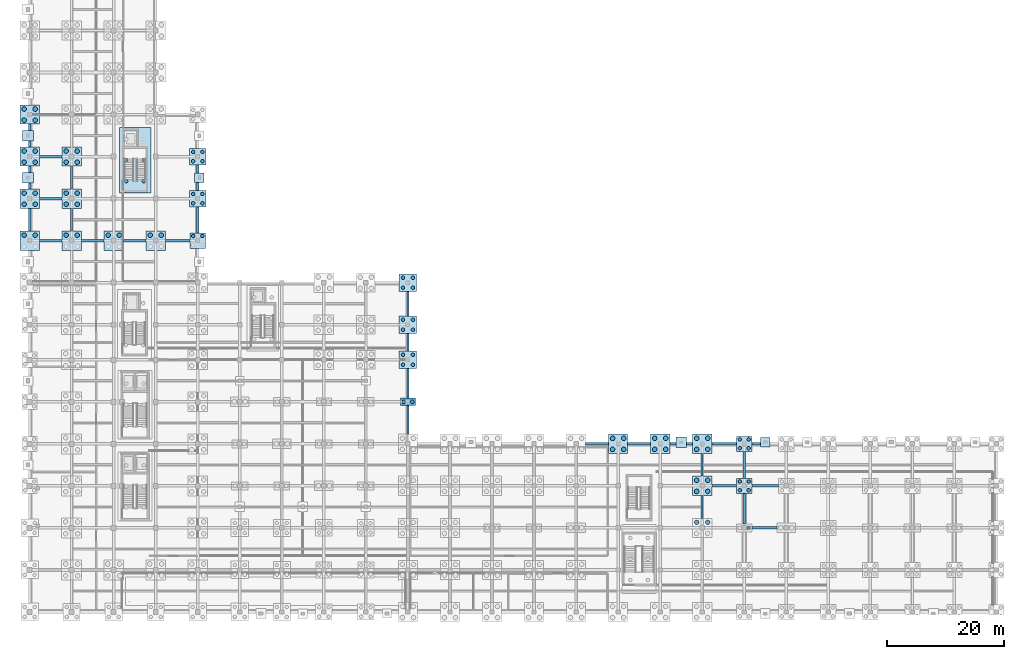
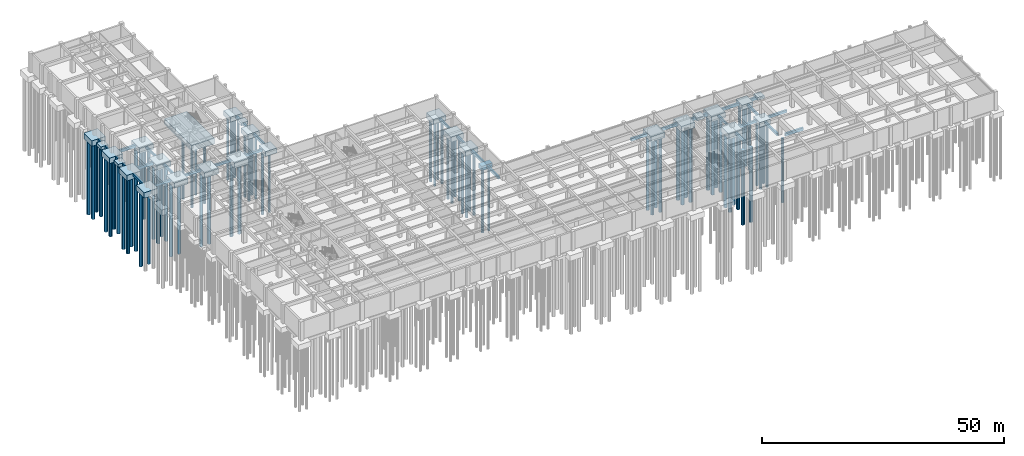
# One storey, part 6 of 28: 83 piles, 61 footings.
"""IFC4 building model written with IfcOpenShell, lengths in metres."""

from ifc_helpers import new_model, si_unit, direction, frame, origin, origin_2d, place, context, subcontext, project, spatial, rectangle, circle, extrude, material, material_profile, profile_set, type_object, element, save


model = new_model("IFC4")

# Units and contexts
model_context = context("Model", 3, precision=1e-05, world=origin(), true_north=direction((0.0, 1.0)))
body_context = subcontext(model_context, "Body", "Model", "MODEL_VIEW")
ifc_project = project(units=[si_unit("LENGTHUNIT", "METRE"), si_unit("AREAUNIT", "SQUARE_METRE"), si_unit("VOLUMEUNIT", "CUBIC_METRE"), si_unit("PLANEANGLEUNIT", "RADIAN"), si_unit("MASSUNIT", "GRAM", prefix="KILO")], contexts=[model_context])

# Site, building, storey
site_placement = place(None, origin())
site = spatial("IfcSite", under=ifc_project, at=site_placement, CompositionType="ELEMENT")
building_placement = place(site_placement, origin())
building = spatial("IfcBuilding", under=site, at=building_placement, Name="Alvorim Cloister Faculty of Sciences", CompositionType="ELEMENT")
storey_placement = place(building_placement, frame((0.0, 0.0, -4.5)))
storey = spatial("IfcBuildingStorey", under=building, at=storey_placement, Name="B01", CompositionType="ELEMENT", Elevation=-4.5)

# Footings
ifc_material_1 = material(Name="Concrete C40", Category="concrete")
footing_type_1 = type_object("IfcFootingType", Name="FT-PAD-1600x1600x700", PredefinedType="PAD_FOOTING", material=ifc_material_1)
for number, where, z_axis, x_axis, name in (
    (1, (29.080078125, 74.39990234375, -0.97998046875), (0.0, 0.0, 1.0), (1.0, 0.0, 0.0), "Buttress Pad Footing FT-0517"),
    (2, (126.0, 29.080078125, -0.97998046875), (0.0, 0.0, 1.0), (1.0, 0.0, 0.0), "Buttress Pad Footing FT-0527"),
):
    element("IfcFooting", number, at=place(storey_placement, frame(where, z_axis=z_axis, x_axis=x_axis)), inside=storey, type_object=footing_type_1, Name=name, PredefinedType="PAD_FOOTING", context=body_context, shape_type="SweptSolid", body=[
        extrude(rectangle(XDim=1.60009765625, YDim=1.60009765625, at=origin_2d()), origin(), (0.0, 0.0, 1.0), 0.699951171875),
    ])
footing_type_2 = type_object("IfcFootingType", Name="FT-PAD-1800x1800x750", PredefinedType="PAD_FOOTING", material=ifc_material_1)
for number, where, z_axis, x_axis, name in (
    (3, (-0.280029296875, 74.39990234375, -1.030029296875), (0.0, 0.0, 1.0), (1.0, 0.0, 0.0), "Buttress Pad Footing FT-0512"),
    (4, (-0.280029296875, 81.60009765625, -1.030029296875), (0.0, 0.0, 1.0), (1.0, 0.0, 0.0), "Buttress Pad Footing FT-0513"),
    (5, (111.60009765625, 29.080078125, -1.050048828125), (0.0, 0.0, 1.0), (1.0, 0.0, 0.0), "Buttress Pad Footing FT-0526"),
):
    element("IfcFooting", number, at=place(storey_placement, frame(where, z_axis=z_axis, x_axis=x_axis)), inside=storey, type_object=footing_type_2, Name=name, PredefinedType="PAD_FOOTING", context=body_context, shape_type="SweptSolid", body=[
        extrude(rectangle(XDim=1.800048828125, YDim=1.800048828125, at=origin_2d()), origin(), (0.0, 0.0, 1.0), 0.75),
    ])
footing_type_3 = type_object("IfcFootingType", Name="FT-PC-2600x1350x1100", PredefinedType="PILE_CAP", material=ifc_material_1)
footing_1_placement = place(storey_placement, frame((64.800048828125, 36.0, -1.400146484375), z_axis=(0.0, 0.0, 1.0), x_axis=(1.0, 0.0, 0.0)))
element("IfcFooting", 6, at=footing_1_placement, inside=storey, type_object=footing_type_3, Name="B01 Pile Cap FT-0126", PredefinedType="PILE_CAP", context=body_context, shape_type="SweptSolid", body=[
    extrude(rectangle(XDim=2.60009765625, YDim=1.35009765625, at=origin_2d()), origin(), (0.0, 0.0, 1.0), 1.10009765625),
])
footing_type_4 = type_object("IfcFootingType", Name="FT-PC-2600x2600x1200", PredefinedType="PILE_CAP", material=ifc_material_1)
for number, where, z_axis, x_axis, name in (
    (7, (122.39990234375, 21.60009765625, -1.47998046875), (0.0, 0.0, 1.0), (1.0, 0.0, 0.0), "B01 Pile Cap FT-0168"),
    (8, (122.39990234375, 28.800048828125, -1.47998046875), (0.0, 0.0, 1.0), (1.0, 0.0, 0.0), "B01 Pile Cap FT-0169"),
):
    element("IfcFooting", number, at=place(storey_placement, frame(where, z_axis=z_axis, x_axis=x_axis)), inside=storey, type_object=footing_type_4, Name=name, PredefinedType="PILE_CAP", context=body_context, shape_type="SweptSolid", body=[
        extrude(rectangle(XDim=2.60009765625, YDim=2.60009765625, at=origin_2d()), origin(), (0.0, 0.0, 1.0), 1.199951171875),
    ])
footing_type_5 = type_object("IfcFootingType", Name="FT-PC-2700x2700x1220", PredefinedType="PILE_CAP", material=ifc_material_1)
footing_2_placement = place(storey_placement, frame((28.800048828125, 63.60009765625, -1.5), z_axis=(0.0, 0.0, 1.0), x_axis=(1.0, 0.0, 0.0)))
element("IfcFooting", 9, at=footing_2_placement, inside=storey, type_object=footing_type_5, Name="B01 Pile Cap FT-0081", PredefinedType="PILE_CAP", context=body_context, shape_type="SweptSolid", body=[
    extrude(rectangle(XDim=2.699951171875, YDim=2.699951171875, at=origin_2d()), origin(), (0.0, 0.0, 1.0), 1.219970703125),
])
footing_type_6 = type_object("IfcFootingType", Name="FT-PC-2800x2800x1250", PredefinedType="PILE_CAP", material=ifc_material_1)
for number, where, z_axis, x_axis, name in (
    (10, (28.800048828125, 70.800048828125, -1.530029296875), (0.0, 0.0, 1.0), (1.0, 0.0, 0.0), "B01 Pile Cap FT-0082"),
    (11, (28.800048828125, 78.0, -1.530029296875), (0.0, 0.0, 1.0), (1.0, 0.0, 0.0), "B01 Pile Cap FT-0083"),
):
    element("IfcFooting", number, at=place(storey_placement, frame(where, z_axis=z_axis, x_axis=x_axis)), inside=storey, type_object=footing_type_6, Name=name, PredefinedType="PILE_CAP", context=body_context, shape_type="SweptSolid", body=[
        extrude(rectangle(XDim=2.800048828125, YDim=2.800048828125, at=origin_2d()), origin(), (0.0, 0.0, 1.0), 1.25),
    ])
footing_type_7 = type_object("IfcFootingType", Name="FT-PC-3000x3000x1350", PredefinedType="PILE_CAP", material=ifc_material_1)
for number, where, z_axis, x_axis, name in (
    (12, (64.800048828125, 43.199951171875, -1.650146484375), (0.0, 0.0, 1.0), (1.0, 0.0, 0.0), "B01 Pile Cap FT-0127"),
    (13, (64.800048828125, 49.199951171875, -1.650146484375), (0.0, 0.0, 1.0), (1.0, 0.0, 0.0), "B01 Pile Cap FT-0128"),
    (14, (64.800048828125, 56.39990234375, -1.650146484375), (0.0, 0.0, 1.0), (1.0, 0.0, 0.0), "B01 Pile Cap FT-0129"),
):
    element("IfcFooting", number, at=place(storey_placement, frame(where, z_axis=z_axis, x_axis=x_axis)), inside=storey, type_object=footing_type_7, Name=name, PredefinedType="PILE_CAP", context=body_context, shape_type="SweptSolid", body=[
        extrude(rectangle(XDim=3.0, YDim=3.0, at=origin_2d()), origin(), (0.0, 0.0, 1.0), 1.35009765625),
    ])
footing_type_8 = type_object("IfcFootingType", Name="FT-PC-3300x3300x1400", PredefinedType="PILE_CAP", material=ifc_material_1)
for number, where, z_axis, x_axis, name in (
    (15, (0.0, 63.60009765625, -1.679931640625), (0.0, 0.0, 1.0), (1.0, 0.0, 0.0), "B01 Pile Cap FT-0010"),
    (16, (0.0, 70.800048828125, -1.679931640625), (0.0, 0.0, 1.0), (1.0, 0.0, 0.0), "B01 Pile Cap FT-0011"),
    (17, (0.0, 78.0, -1.679931640625), (0.0, 0.0, 1.0), (1.0, 0.0, 0.0), "B01 Pile Cap FT-0012"),
    (18, (0.0, 85.199951171875, -1.679931640625), (0.0, 0.0, 1.0), (1.0, 0.0, 0.0), "B01 Pile Cap FT-0013"),
    (19, (7.199951171875, 63.60009765625, -1.679931640625), (0.0, 0.0, 1.0), (1.0, 0.0, 0.0), "B01 Pile Cap FT-0027"),
    (20, (7.199951171875, 70.800048828125, -1.679931640625), (0.0, 0.0, 1.0), (1.0, 0.0, 0.0), "B01 Pile Cap FT-0028"),
    (21, (7.199951171875, 78.0, -1.679931640625), (0.0, 0.0, 1.0), (1.0, 0.0, 0.0), "B01 Pile Cap FT-0029"),
    (22, (14.39990234375, 63.60009765625, -1.679931640625), (0.0, 0.0, 1.0), (1.0, 0.0, 0.0), "B01 Pile Cap FT-0044"),
    (23, (21.60009765625, 63.60009765625, -1.679931640625), (0.0, 0.0, 1.0), (1.0, 0.0, 0.0), "B01 Pile Cap FT-0064"),
    (24, (100.800048828125, 28.800048828125, -1.699951171875), (0.0, 0.0, 1.0), (1.0, 0.0, 0.0), "B01 Pile Cap FT-0154"),
    (25, (108.0, 28.800048828125, -1.699951171875), (0.0, 0.0, 1.0), (1.0, 0.0, 0.0), "B01 Pile Cap FT-0159"),
    (26, (115.199951171875, 21.60009765625, -1.699951171875), (0.0, 0.0, 1.0), (1.0, 0.0, 0.0), "B01 Pile Cap FT-0163"),
    (27, (115.199951171875, 28.800048828125, -1.699951171875), (0.0, 0.0, 1.0), (1.0, 0.0, 0.0), "B01 Pile Cap FT-0164"),
):
    element("IfcFooting", number, at=place(storey_placement, frame(where, z_axis=z_axis, x_axis=x_axis)), inside=storey, type_object=footing_type_8, Name=name, PredefinedType="PILE_CAP", context=body_context, shape_type="SweptSolid", body=[
        extrude(rectangle(XDim=3.300048828125, YDim=3.300048828125, at=origin_2d()), origin(), (0.0, 0.0, 1.0), 1.39990234375),
    ])
footing_type_9 = type_object("IfcFootingType", Name="FT-PC-5400x11200x1450", PredefinedType="PILE_CAP", material=ifc_material_1)
footing_3_placement = place(storey_placement, frame((18.06005859375, 77.39990234375, -1.75), z_axis=(0.0, 0.0, 1.0), x_axis=(1.0, 0.0, 0.0)))
element("IfcFooting", 28, at=footing_3_placement, inside=storey, type_object=footing_type_9, Name="B01 Pile Cap FT-0204", PredefinedType="PILE_CAP", context=body_context, shape_type="SweptSolid", body=[
    extrude(rectangle(XDim=5.39990234375, YDim=11.199951171875, at=origin_2d()), origin(), (0.0, 0.0, 1.0), 1.449951171875),
])
footing_type_10 = type_object("IfcFootingType", Name="FT-TB-350x600", PredefinedType="FOOTING_BEAM", material=ifc_material_1)
for number, where, z_axis, x_axis, name in (
    (29, (7.199951171875, 67.199951171875, -0.880126953125), (0.0, 0.0, 1.0), (1.0, 0.0, 0.0), "Ground Tie Beam FT-0259"),
    (30, (7.199951171875, 74.39990234375, -0.880126953125), (0.0, 0.0, 1.0), (1.0, 0.0, 0.0), "Ground Tie Beam FT-0261"),
    (31, (115.199951171875, 18.0, -0.900146484375), (0.0, 0.0, 1.0), (1.0, 0.0, 0.0), "Ground Tie Beam FT-0433"),
    (32, (115.199951171875, 25.199951171875, -0.900146484375), (0.0, 0.0, 1.0), (1.0, 0.0, 0.0), "Ground Tie Beam FT-0435"),
):
    element("IfcFooting", number, at=place(storey_placement, frame(where, z_axis=z_axis, x_axis=x_axis)), inside=storey, type_object=footing_type_10, Name=name, PredefinedType="FOOTING_BEAM", context=body_context, shape_type="SweptSolid", body=[
        extrude(rectangle(XDim=0.35009765625, YDim=3.89990234375, at=origin_2d()), origin(), (0.0, 0.0, 1.0), 0.60009765625),
    ])
footing_type_11 = type_object("IfcFootingType", Name="FT-TB-400x650", PredefinedType="FOOTING_BEAM", material=ifc_material_1)
footing_4_placement = place(storey_placement, frame((0.0, 67.199951171875, -0.929931640625), z_axis=(0.0, 0.0, 1.0), x_axis=(1.0, 0.0, 0.0)))
element("IfcFooting", 33, at=footing_4_placement, inside=storey, type_object=footing_type_11, Name="Ground Tie Beam FT-0229", PredefinedType="FOOTING_BEAM", context=body_context, shape_type="SweptSolid", body=[
    extrude(rectangle(XDim=0.39990234375, YDim=3.89990234375, at=origin_2d()), origin(), (0.0, 0.0, 1.0), 0.64990234375),
])
footing_5_placement = place(storey_placement, frame((3.60009765625, 63.60009765625, -0.929931640625), z_axis=(0.0, 0.0, 1.0), x_axis=(1.0, 0.0, 0.0)))
element("IfcFooting", 34, at=footing_5_placement, inside=storey, type_object=footing_type_11, Name="Ground Tie Beam FT-0230", PredefinedType="FOOTING_BEAM", context=body_context, shape_type="SweptSolid", body=[
    extrude(rectangle(XDim=3.89990234375, YDim=0.39990234375, at=origin_2d()), origin(), (0.0, 0.0, 1.0), 0.64990234375),
])
for number, where, z_axis, x_axis, name in (
    (35, (0.0, 72.97509765625, -0.929931640625), (0.0, 0.0, 1.0), (1.0, 0.0, 0.0), "Ground Tie Beam FT-0231"),
    (36, (0.0, 75.824951171875, -0.929931640625), (0.0, 0.0, 1.0), (1.0, 0.0, 0.0), "Ground Tie Beam FT-0232"),
    (37, (0.0, 80.175048828125, -0.929931640625), (0.0, 0.0, 1.0), (1.0, 0.0, 0.0), "Ground Tie Beam FT-0234"),
    (38, (0.0, 83.02490234375, -0.929931640625), (0.0, 0.0, 1.0), (1.0, 0.0, 0.0), "Ground Tie Beam FT-0235"),
):
    element("IfcFooting", number, at=place(storey_placement, frame(where, z_axis=z_axis, x_axis=x_axis)), inside=storey, type_object=footing_type_11, Name=name, PredefinedType="FOOTING_BEAM", context=body_context, shape_type="SweptSolid", body=[
        extrude(rectangle(XDim=0.39990234375, YDim=1.050048828125, at=origin_2d()), origin(), (0.0, 0.0, 1.0), 0.64990234375),
    ])
for number, where, z_axis, x_axis, name in (
    (39, (10.800048828125, 63.60009765625, -0.929931640625), (0.0, 0.0, 1.0), (1.0, 0.0, 0.0), "Ground Tie Beam FT-0260"),
    (40, (18.0, 63.60009765625, -0.929931640625), (0.0, 0.0, 1.0), (1.0, 0.0, 0.0), "Ground Tie Beam FT-0275"),
):
    element("IfcFooting", number, at=place(storey_placement, frame(where, z_axis=z_axis, x_axis=x_axis)), inside=storey, type_object=footing_type_11, Name=name, PredefinedType="FOOTING_BEAM", context=body_context, shape_type="SweptSolid", body=[
        extrude(rectangle(XDim=3.89990234375, YDim=0.39990234375, at=origin_2d()), origin(), (0.0, 0.0, 1.0), 0.64990234375),
    ])
footing_6_placement = place(storey_placement, frame((25.35009765625, 63.60009765625, -0.929931640625), z_axis=(0.0, 0.0, 1.0), x_axis=(1.0, 0.0, 0.0)))
element("IfcFooting", 41, at=footing_6_placement, inside=storey, type_object=footing_type_11, Name="Ground Tie Beam FT-0288", PredefinedType="FOOTING_BEAM", context=body_context, shape_type="SweptSolid", body=[
    extrude(rectangle(XDim=4.199951171875, YDim=0.39990234375, at=origin_2d()), origin(), (0.0, 0.0, 1.0), 0.64990234375),
])
footing_7_placement = place(storey_placement, frame((28.800048828125, 67.175048828125, -0.929931640625), z_axis=(0.0, 0.0, 1.0), x_axis=(1.0, 0.0, 0.0)))
element("IfcFooting", 42, at=footing_7_placement, inside=storey, type_object=footing_type_11, Name="Ground Tie Beam FT-0310", PredefinedType="FOOTING_BEAM", context=body_context, shape_type="SweptSolid", body=[
    extrude(rectangle(XDim=0.39990234375, YDim=4.449951171875, at=origin_2d()), origin(), (0.0, 0.0, 1.0), 0.64990234375),
])
for number, where, z_axis, x_axis, name in (
    (43, (28.800048828125, 72.89990234375, -0.929931640625), (0.0, 0.0, 1.0), (1.0, 0.0, 0.0), "Ground Tie Beam FT-0311"),
    (44, (28.800048828125, 75.89990234375, -0.929931640625), (0.0, 0.0, 1.0), (1.0, 0.0, 0.0), "Ground Tie Beam FT-0312"),
):
    element("IfcFooting", number, at=place(storey_placement, frame(where, z_axis=z_axis, x_axis=x_axis)), inside=storey, type_object=footing_type_11, Name=name, PredefinedType="FOOTING_BEAM", context=body_context, shape_type="SweptSolid", body=[
        extrude(rectangle(XDim=0.39990234375, YDim=1.39990234375, at=origin_2d()), origin(), (0.0, 0.0, 1.0), 0.64990234375),
    ])
footing_8_placement = place(storey_placement, frame((64.800048828125, 32.887451171875, -0.949951171875), z_axis=(0.0, 0.0, 1.0), x_axis=(1.0, 0.0, 0.0)))
element("IfcFooting", 45, at=footing_8_placement, inside=storey, type_object=footing_type_11, Name="Ground Tie Beam FT-0385", PredefinedType="FOOTING_BEAM", context=body_context, shape_type="SweptSolid", body=[
    extrude(rectangle(XDim=0.39990234375, YDim=4.875, at=origin_2d()), origin(), (0.0, 0.0, 1.0), 0.64990234375),
])
footing_9_placement = place(storey_placement, frame((64.800048828125, 39.1875, -0.949951171875), z_axis=(0.0, 0.0, 1.0), x_axis=(1.0, 0.0, 0.0)))
element("IfcFooting", 46, at=footing_9_placement, inside=storey, type_object=footing_type_11, Name="Ground Tie Beam FT-0387", PredefinedType="FOOTING_BEAM", context=body_context, shape_type="SweptSolid", body=[
    extrude(rectangle(XDim=0.39990234375, YDim=5.02490234375, at=origin_2d()), origin(), (0.0, 0.0, 1.0), 0.64990234375),
])
footing_10_placement = place(storey_placement, frame((64.800048828125, 46.199951171875, -0.949951171875), z_axis=(0.0, 0.0, 1.0), x_axis=(1.0, 0.0, 0.0)))
element("IfcFooting", 47, at=footing_10_placement, inside=storey, type_object=footing_type_11, Name="Ground Tie Beam FT-0388", PredefinedType="FOOTING_BEAM", context=body_context, shape_type="SweptSolid", body=[
    extrude(rectangle(XDim=0.39990234375, YDim=3.0, at=origin_2d()), origin(), (0.0, 0.0, 1.0), 0.64990234375),
])
footing_11_placement = place(storey_placement, frame((64.800048828125, 52.800048828125, -0.949951171875), z_axis=(0.0, 0.0, 1.0), x_axis=(1.0, 0.0, 0.0)))
element("IfcFooting", 48, at=footing_11_placement, inside=storey, type_object=footing_type_11, Name="Ground Tie Beam FT-0389", PredefinedType="FOOTING_BEAM", context=body_context, shape_type="SweptSolid", body=[
    extrude(rectangle(XDim=0.39990234375, YDim=4.199951171875, at=origin_2d()), origin(), (0.0, 0.0, 1.0), 0.64990234375),
])
footing_12_placement = place(storey_placement, frame((118.97509765625, 21.60009765625, -0.949951171875), z_axis=(0.0, 0.0, 1.0), x_axis=(1.0, 0.0, 0.0)))
element("IfcFooting", 49, at=footing_12_placement, inside=storey, type_object=footing_type_11, Name="Ground Tie Beam FT-0436", PredefinedType="FOOTING_BEAM", context=body_context, shape_type="SweptSolid", body=[
    extrude(rectangle(XDim=4.25, YDim=0.39990234375, at=origin_2d()), origin(), (0.0, 0.0, 1.0), 0.64990234375),
])
footing_13_placement = place(storey_placement, frame((122.39990234375, 17.6875, -0.929931640625), z_axis=(0.0, 0.0, 1.0), x_axis=(1.0, 0.0, 0.0)))
element("IfcFooting", 50, at=footing_13_placement, inside=storey, type_object=footing_type_11, Name="Ground Tie Beam FT-0443", PredefinedType="FOOTING_BEAM", context=body_context, shape_type="SweptSolid", body=[
    extrude(rectangle(XDim=0.39990234375, YDim=5.22509765625, at=origin_2d()), origin(), (0.0, 0.0, 1.0), 0.64990234375),
])
footing_14_placement = place(storey_placement, frame((122.39990234375, 25.199951171875, -0.929931640625), z_axis=(0.0, 0.0, 1.0), x_axis=(1.0, 0.0, 0.0)))
element("IfcFooting", 51, at=footing_14_placement, inside=storey, type_object=footing_type_11, Name="Ground Tie Beam FT-0445", PredefinedType="FOOTING_BEAM", context=body_context, shape_type="SweptSolid", body=[
    extrude(rectangle(XDim=0.39990234375, YDim=4.60009765625, at=origin_2d()), origin(), (0.0, 0.0, 1.0), 0.64990234375),
])
footing_15_placement = place(storey_placement, frame((126.0, 21.60009765625, -0.929931640625), z_axis=(0.0, 0.0, 1.0), x_axis=(1.0, 0.0, 0.0)))
element("IfcFooting", 52, at=footing_15_placement, inside=storey, type_object=footing_type_11, Name="Ground Tie Beam FT-0446", PredefinedType="FOOTING_BEAM", context=body_context, shape_type="SweptSolid", body=[
    extrude(rectangle(XDim=4.60009765625, YDim=0.39990234375, at=origin_2d()), origin(), (0.0, 0.0, 1.0), 0.64990234375),
])
footing_type_12 = type_object("IfcFootingType", Name="FT-TB-450x700", PredefinedType="FOOTING_BEAM", material=ifc_material_1)
for number, where, z_axis, x_axis, name in (
    (53, (3.60009765625, 70.800048828125, -0.97998046875), (0.0, 0.0, 1.0), (1.0, 0.0, 0.0), "Ground Tie Beam FT-0233"),
    (54, (3.60009765625, 78.0, -0.97998046875), (0.0, 0.0, 1.0), (1.0, 0.0, 0.0), "Ground Tie Beam FT-0236"),
    (55, (97.199951171875, 28.800048828125, -1.0), (0.0, 0.0, 1.0), (1.0, 0.0, 0.0), "Ground Tie Beam FT-0423"),
    (56, (104.39990234375, 28.800048828125, -1.0), (0.0, 0.0, 1.0), (1.0, 0.0, 0.0), "Ground Tie Beam FT-0425"),
):
    element("IfcFooting", number, at=place(storey_placement, frame(where, z_axis=z_axis, x_axis=x_axis)), inside=storey, type_object=footing_type_12, Name=name, PredefinedType="FOOTING_BEAM", context=body_context, shape_type="SweptSolid", body=[
        extrude(rectangle(XDim=3.89990234375, YDim=0.449951171875, at=origin_2d()), origin(), (0.0, 0.0, 1.0), 0.699951171875),
    ])
for number, where, z_axis, x_axis, name in (
    (57, (110.175048828125, 28.800048828125, -1.0), (0.0, 0.0, 1.0), (1.0, 0.0, 0.0), "Ground Tie Beam FT-0427"),
    (58, (113.02490234375, 28.800048828125, -1.0), (0.0, 0.0, 1.0), (1.0, 0.0, 0.0), "Ground Tie Beam FT-0428"),
):
    element("IfcFooting", number, at=place(storey_placement, frame(where, z_axis=z_axis, x_axis=x_axis)), inside=storey, type_object=footing_type_12, Name=name, PredefinedType="FOOTING_BEAM", context=body_context, shape_type="SweptSolid", body=[
        extrude(rectangle(XDim=1.050048828125, YDim=0.449951171875, at=origin_2d()), origin(), (0.0, 0.0, 1.0), 0.699951171875),
    ])
footing_16_placement = place(storey_placement, frame((118.97509765625, 28.800048828125, -1.0), z_axis=(0.0, 0.0, 1.0), x_axis=(1.0, 0.0, 0.0)))
element("IfcFooting", 59, at=footing_16_placement, inside=storey, type_object=footing_type_12, Name="Ground Tie Beam FT-0437", PredefinedType="FOOTING_BEAM", context=body_context, shape_type="SweptSolid", body=[
    extrude(rectangle(XDim=4.25, YDim=0.449951171875, at=origin_2d()), origin(), (0.0, 0.0, 1.0), 0.699951171875),
])
footing_17_placement = place(storey_placement, frame((125.85009765625, 14.39990234375, -0.97998046875), z_axis=(0.0, 0.0, 1.0), x_axis=(1.0, 0.0, 0.0)))
element("IfcFooting", 60, at=footing_17_placement, inside=storey, type_object=footing_type_12, Name="Ground Tie Beam FT-0444", PredefinedType="FOOTING_BEAM", context=body_context, shape_type="SweptSolid", body=[
    extrude(rectangle(XDim=4.300048828125, YDim=0.449951171875, at=origin_2d()), origin(), (0.0, 0.0, 1.0), 0.699951171875),
])
footing_18_placement = place(storey_placement, frame((124.449951171875, 28.800048828125, -0.97998046875), z_axis=(0.0, 0.0, 1.0), x_axis=(1.0, 0.0, 0.0)))
element("IfcFooting", 61, at=footing_18_placement, inside=storey, type_object=footing_type_12, Name="Ground Tie Beam FT-0447", PredefinedType="FOOTING_BEAM", context=body_context, shape_type="SweptSolid", body=[
    extrude(rectangle(XDim=1.5, YDim=0.449951171875, at=origin_2d()), origin(), (0.0, 0.0, 1.0), 0.699951171875),
])

# Piles
ifc_material_2 = material(Name="Concrete C30", Category="concrete")
ifc_material_profile_1 = material_profile(ifc_material_2, circle(Radius=0.300048828125, at=origin_2d()), Name="PILE-D600")
ifc_profile_set_1 = profile_set([ifc_material_profile_1], Name="Concrete C30")
pile_type_1 = type_object("IfcPileType", Name="PL-BORED-D600", PredefinedType="BORED", material=ifc_profile_set_1)
for number, where, z_axis, x_axis, name in (
    (62, (28.0, 64.39990234375, -1.39990234375), (0.0, 0.0, -1.0), (1.0, 0.0, 0.0), "Bored Pile PL-0323"),
    (63, (29.60009765625, 64.39990234375, -1.39990234375), (0.0, 0.0, -1.0), (1.0, 0.0, 0.0), "Bored Pile PL-0324"),
):
    element("IfcPile", number, at=place(storey_placement, frame(where, z_axis=z_axis, x_axis=x_axis)), inside=storey, type_object=pile_type_1, Name=name, PredefinedType="BORED", context=body_context, shape_type="SweptSolid", body=[
        extrude(circle(Radius=0.300048828125, at=origin_2d()), origin(), (0.0, 0.0, 1.0), 16.10009765625),
    ])
for number, where, z_axis, x_axis, name in (
    (64, (28.0, 70.0, -1.429931640625), (0.0, 0.0, -1.0), (1.0, 0.0, 0.0), "Bored Pile PL-0325"),
    (65, (29.60009765625, 70.0, -1.429931640625), (0.0, 0.0, -1.0), (1.0, 0.0, 0.0), "Bored Pile PL-0326"),
    (66, (28.0, 71.60009765625, -1.429931640625), (0.0, 0.0, -1.0), (1.0, 0.0, 0.0), "Bored Pile PL-0327"),
    (67, (29.60009765625, 71.60009765625, -1.429931640625), (0.0, 0.0, -1.0), (1.0, 0.0, 0.0), "Bored Pile PL-0328"),
    (68, (28.0, 77.199951171875, -1.429931640625), (0.0, 0.0, -1.0), (1.0, 0.0, 0.0), "Bored Pile PL-0329"),
    (69, (29.60009765625, 77.199951171875, -1.429931640625), (0.0, 0.0, -1.0), (1.0, 0.0, 0.0), "Bored Pile PL-0330"),
    (70, (28.0, 78.800048828125, -1.429931640625), (0.0, 0.0, -1.0), (1.0, 0.0, 0.0), "Bored Pile PL-0331"),
    (71, (29.60009765625, 78.800048828125, -1.429931640625), (0.0, 0.0, -1.0), (1.0, 0.0, 0.0), "Bored Pile PL-0332"),
):
    element("IfcPile", number, at=place(storey_placement, frame(where, z_axis=z_axis, x_axis=x_axis)), inside=storey, type_object=pile_type_1, Name=name, PredefinedType="BORED", context=body_context, shape_type="SweptSolid", body=[
        extrude(circle(Radius=0.300048828125, at=origin_2d()), origin(), (0.0, 0.0, 1.0), 16.070068359375),
    ])
for number, where, z_axis, x_axis, name in (
    (72, (64.050048828125, 36.0, -1.300048828125), (0.0, 0.0, -1.0), (1.0, 0.0, 0.0), "Bored Pile PL-0477"),
    (73, (65.550048828125, 36.0, -1.300048828125), (0.0, 0.0, -1.0), (1.0, 0.0, 0.0), "Bored Pile PL-0478"),
):
    element("IfcPile", number, at=place(storey_placement, frame(where, z_axis=z_axis, x_axis=x_axis)), inside=storey, type_object=pile_type_1, Name=name, PredefinedType="BORED", context=body_context, shape_type="SweptSolid", body=[
        extrude(circle(Radius=0.300048828125, at=origin_2d()), origin(), (0.0, 0.0, 1.0), 16.199951171875),
    ])
for number, where, z_axis, x_axis, name in (
    (74, (63.949951171875, 42.35009765625, -1.550048828125), (0.0, 0.0, -1.0), (1.0, 0.0, 0.0), "Bored Pile PL-0479"),
    (75, (65.64990234375, 42.35009765625, -1.550048828125), (0.0, 0.0, -1.0), (1.0, 0.0, 0.0), "Bored Pile PL-0480"),
    (76, (63.949951171875, 44.050048828125, -1.550048828125), (0.0, 0.0, -1.0), (1.0, 0.0, 0.0), "Bored Pile PL-0481"),
    (77, (65.64990234375, 44.050048828125, -1.550048828125), (0.0, 0.0, -1.0), (1.0, 0.0, 0.0), "Bored Pile PL-0482"),
    (78, (63.949951171875, 48.35009765625, -1.550048828125), (0.0, 0.0, -1.0), (1.0, 0.0, 0.0), "Bored Pile PL-0483"),
    (79, (65.64990234375, 48.35009765625, -1.550048828125), (0.0, 0.0, -1.0), (1.0, 0.0, 0.0), "Bored Pile PL-0484"),
    (80, (63.949951171875, 50.050048828125, -1.550048828125), (0.0, 0.0, -1.0), (1.0, 0.0, 0.0), "Bored Pile PL-0485"),
    (81, (65.64990234375, 50.050048828125, -1.550048828125), (0.0, 0.0, -1.0), (1.0, 0.0, 0.0), "Bored Pile PL-0486"),
    (82, (63.949951171875, 55.550048828125, -1.550048828125), (0.0, 0.0, -1.0), (1.0, 0.0, 0.0), "Bored Pile PL-0487"),
    (83, (65.64990234375, 55.550048828125, -1.550048828125), (0.0, 0.0, -1.0), (1.0, 0.0, 0.0), "Bored Pile PL-0488"),
    (84, (63.949951171875, 57.25, -1.550048828125), (0.0, 0.0, -1.0), (1.0, 0.0, 0.0), "Bored Pile PL-0489"),
    (85, (65.64990234375, 57.25, -1.550048828125), (0.0, 0.0, -1.0), (1.0, 0.0, 0.0), "Bored Pile PL-0490"),
):
    element("IfcPile", number, at=place(storey_placement, frame(where, z_axis=z_axis, x_axis=x_axis)), inside=storey, type_object=pile_type_1, Name=name, PredefinedType="BORED", context=body_context, shape_type="SweptSolid", body=[
        extrude(circle(Radius=0.300048828125, at=origin_2d()), origin(), (0.0, 0.0, 1.0), 15.949951171875),
    ])
pile_placement = place(storey_placement, frame((123.14990234375, 14.39990234375, -1.280029296875), z_axis=(0.0, 0.0, -1.0), x_axis=(1.0, 0.0, 0.0)))
element("IfcPile", 86, at=pile_placement, inside=storey, type_object=pile_type_1, Name="Bored Pile PL-0632", PredefinedType="BORED", context=body_context, shape_type="SweptSolid", body=[
    extrude(circle(Radius=0.300048828125, at=origin_2d()), origin(), (0.0, 0.0, 1.0), 16.219970703125),
])
for number, where, z_axis, x_axis, name in (
    (87, (121.64990234375, 20.85009765625, -1.3798828125), (0.0, 0.0, -1.0), (1.0, 0.0, 0.0), "Bored Pile PL-0633"),
    (88, (123.14990234375, 20.85009765625, -1.3798828125), (0.0, 0.0, -1.0), (1.0, 0.0, 0.0), "Bored Pile PL-0634"),
    (89, (121.64990234375, 22.35009765625, -1.3798828125), (0.0, 0.0, -1.0), (1.0, 0.0, 0.0), "Bored Pile PL-0635"),
    (90, (123.14990234375, 22.35009765625, -1.3798828125), (0.0, 0.0, -1.0), (1.0, 0.0, 0.0), "Bored Pile PL-0636"),
    (91, (121.64990234375, 28.050048828125, -1.3798828125), (0.0, 0.0, -1.0), (1.0, 0.0, 0.0), "Bored Pile PL-0637"),
    (92, (123.14990234375, 28.050048828125, -1.3798828125), (0.0, 0.0, -1.0), (1.0, 0.0, 0.0), "Bored Pile PL-0638"),
    (93, (121.64990234375, 29.550048828125, -1.3798828125), (0.0, 0.0, -1.0), (1.0, 0.0, 0.0), "Bored Pile PL-0639"),
    (94, (123.14990234375, 29.550048828125, -1.3798828125), (0.0, 0.0, -1.0), (1.0, 0.0, 0.0), "Bored Pile PL-0640"),
):
    element("IfcPile", number, at=place(storey_placement, frame(where, z_axis=z_axis, x_axis=x_axis)), inside=storey, type_object=pile_type_1, Name=name, PredefinedType="BORED", context=body_context, shape_type="SweptSolid", body=[
        extrude(circle(Radius=0.300048828125, at=origin_2d()), origin(), (0.0, 0.0, 1.0), 16.1201171875),
    ])
for number, where, z_axis, x_axis, name in (
    (95, (16.56005859375, 73.800048828125, -1.64990234375), (0.0, 0.0, -1.0), (1.0, 0.0, 0.0), "Bored Pile PL-0777"),
    (96, (19.56005859375, 73.800048828125, -1.64990234375), (0.0, 0.0, -1.0), (1.0, 0.0, 0.0), "Bored Pile PL-0778"),
    (97, (16.56005859375, 77.39990234375, -1.64990234375), (0.0, 0.0, -1.0), (1.0, 0.0, 0.0), "Bored Pile PL-0779"),
    (98, (19.56005859375, 77.39990234375, -1.64990234375), (0.0, 0.0, -1.0), (1.0, 0.0, 0.0), "Bored Pile PL-0780"),
):
    element("IfcPile", number, at=place(storey_placement, frame(where, z_axis=z_axis, x_axis=x_axis)), inside=storey, type_object=pile_type_1, Name=name, PredefinedType="BORED", context=body_context, shape_type="SweptSolid", body=[
        extrude(circle(Radius=0.300048828125, at=origin_2d()), origin(), (0.0, 0.0, 1.0), 15.85009765625),
    ])
ifc_material_profile_2 = material_profile(ifc_material_2, circle(Radius=0.39990234375, at=origin_2d()), Name="PILE-D800")
ifc_profile_set_2 = profile_set([ifc_material_profile_2], Name="Concrete C30")
pile_type_2 = type_object("IfcPileType", Name="PL-BORED-D800", PredefinedType="BORED", material=ifc_profile_set_2)
for number, where, z_axis, x_axis, name in (
    (99, (-0.949951171875, 64.550048828125, -1.580078125), (0.0, 0.0, -1.0), (1.0, 0.0, 0.0), "Bored Pile PL-0039"),
    (100, (0.949951171875, 64.550048828125, -1.580078125), (0.0, 0.0, -1.0), (1.0, 0.0, 0.0), "Bored Pile PL-0040"),
    (101, (-0.949951171875, 69.85009765625, -1.580078125), (0.0, 0.0, -1.0), (1.0, 0.0, 0.0), "Bored Pile PL-0041"),
    (102, (0.949951171875, 69.85009765625, -1.580078125), (0.0, 0.0, -1.0), (1.0, 0.0, 0.0), "Bored Pile PL-0042"),
    (103, (-0.949951171875, 71.75, -1.580078125), (0.0, 0.0, -1.0), (1.0, 0.0, 0.0), "Bored Pile PL-0043"),
    (104, (0.949951171875, 71.75, -1.580078125), (0.0, 0.0, -1.0), (1.0, 0.0, 0.0), "Bored Pile PL-0044"),
    (105, (-0.949951171875, 77.050048828125, -1.580078125), (0.0, 0.0, -1.0), (1.0, 0.0, 0.0), "Bored Pile PL-0045"),
    (106, (0.949951171875, 77.050048828125, -1.580078125), (0.0, 0.0, -1.0), (1.0, 0.0, 0.0), "Bored Pile PL-0046"),
    (107, (-0.949951171875, 78.949951171875, -1.580078125), (0.0, 0.0, -1.0), (1.0, 0.0, 0.0), "Bored Pile PL-0047"),
    (108, (0.949951171875, 78.949951171875, -1.580078125), (0.0, 0.0, -1.0), (1.0, 0.0, 0.0), "Bored Pile PL-0048"),
    (109, (-0.949951171875, 84.25, -1.580078125), (0.0, 0.0, -1.0), (1.0, 0.0, 0.0), "Bored Pile PL-0049"),
    (110, (0.949951171875, 84.25, -1.580078125), (0.0, 0.0, -1.0), (1.0, 0.0, 0.0), "Bored Pile PL-0050"),
    (111, (-0.949951171875, 86.14990234375, -1.580078125), (0.0, 0.0, -1.0), (1.0, 0.0, 0.0), "Bored Pile PL-0051"),
    (112, (0.949951171875, 86.14990234375, -1.580078125), (0.0, 0.0, -1.0), (1.0, 0.0, 0.0), "Bored Pile PL-0052"),
    (113, (6.25, 64.550048828125, -1.580078125), (0.0, 0.0, -1.0), (1.0, 0.0, 0.0), "Bored Pile PL-0107"),
    (114, (8.14990234375, 64.550048828125, -1.580078125), (0.0, 0.0, -1.0), (1.0, 0.0, 0.0), "Bored Pile PL-0108"),
    (115, (6.25, 69.85009765625, -1.580078125), (0.0, 0.0, -1.0), (1.0, 0.0, 0.0), "Bored Pile PL-0109"),
    (116, (8.14990234375, 69.85009765625, -1.580078125), (0.0, 0.0, -1.0), (1.0, 0.0, 0.0), "Bored Pile PL-0110"),
    (117, (6.25, 71.75, -1.580078125), (0.0, 0.0, -1.0), (1.0, 0.0, 0.0), "Bored Pile PL-0111"),
    (118, (8.14990234375, 71.75, -1.580078125), (0.0, 0.0, -1.0), (1.0, 0.0, 0.0), "Bored Pile PL-0112"),
    (119, (6.25, 77.050048828125, -1.580078125), (0.0, 0.0, -1.0), (1.0, 0.0, 0.0), "Bored Pile PL-0113"),
    (120, (8.14990234375, 77.050048828125, -1.580078125), (0.0, 0.0, -1.0), (1.0, 0.0, 0.0), "Bored Pile PL-0114"),
    (121, (6.25, 78.949951171875, -1.580078125), (0.0, 0.0, -1.0), (1.0, 0.0, 0.0), "Bored Pile PL-0115"),
    (122, (8.14990234375, 78.949951171875, -1.580078125), (0.0, 0.0, -1.0), (1.0, 0.0, 0.0), "Bored Pile PL-0116"),
    (123, (13.449951171875, 64.550048828125, -1.580078125), (0.0, 0.0, -1.0), (1.0, 0.0, 0.0), "Bored Pile PL-0175"),
    (124, (15.35009765625, 64.550048828125, -1.580078125), (0.0, 0.0, -1.0), (1.0, 0.0, 0.0), "Bored Pile PL-0176"),
    (125, (20.64990234375, 64.550048828125, -1.580078125), (0.0, 0.0, -1.0), (1.0, 0.0, 0.0), "Bored Pile PL-0255"),
    (126, (22.550048828125, 64.550048828125, -1.580078125), (0.0, 0.0, -1.0), (1.0, 0.0, 0.0), "Bored Pile PL-0256"),
):
    element("IfcPile", number, at=place(storey_placement, frame(where, z_axis=z_axis, x_axis=x_axis)), inside=storey, type_object=pile_type_2, Name=name, PredefinedType="BORED", context=body_context, shape_type="SweptSolid", body=[
        extrude(circle(Radius=0.39990234375, at=origin_2d()), origin(), (0.0, 0.0, 1.0), 18.919921875),
    ])
for number, where, z_axis, x_axis, name in (
    (127, (99.85009765625, 27.85009765625, -1.60009765625), (0.0, 0.0, -1.0), (1.0, 0.0, 0.0), "Bored Pile PL-0579"),
    (128, (101.75, 27.85009765625, -1.60009765625), (0.0, 0.0, -1.0), (1.0, 0.0, 0.0), "Bored Pile PL-0580"),
    (129, (99.85009765625, 29.75, -1.60009765625), (0.0, 0.0, -1.0), (1.0, 0.0, 0.0), "Bored Pile PL-0581"),
    (130, (101.75, 29.75, -1.60009765625), (0.0, 0.0, -1.0), (1.0, 0.0, 0.0), "Bored Pile PL-0582"),
    (131, (107.050048828125, 27.85009765625, -1.60009765625), (0.0, 0.0, -1.0), (1.0, 0.0, 0.0), "Bored Pile PL-0599"),
    (132, (108.949951171875, 27.85009765625, -1.60009765625), (0.0, 0.0, -1.0), (1.0, 0.0, 0.0), "Bored Pile PL-0600"),
    (133, (107.050048828125, 29.75, -1.60009765625), (0.0, 0.0, -1.0), (1.0, 0.0, 0.0), "Bored Pile PL-0601"),
    (134, (108.949951171875, 29.75, -1.60009765625), (0.0, 0.0, -1.0), (1.0, 0.0, 0.0), "Bored Pile PL-0602"),
    (135, (114.25, 15.35009765625, -1.60009765625), (0.0, 0.0, -1.0), (1.0, 0.0, 0.0), "Bored Pile PL-0613"),
    (136, (116.14990234375, 15.35009765625, -1.60009765625), (0.0, 0.0, -1.0), (1.0, 0.0, 0.0), "Bored Pile PL-0614"),
    (137, (114.25, 20.64990234375, -1.60009765625), (0.0, 0.0, -1.0), (1.0, 0.0, 0.0), "Bored Pile PL-0615"),
    (138, (116.14990234375, 20.64990234375, -1.60009765625), (0.0, 0.0, -1.0), (1.0, 0.0, 0.0), "Bored Pile PL-0616"),
    (139, (114.25, 22.550048828125, -1.60009765625), (0.0, 0.0, -1.0), (1.0, 0.0, 0.0), "Bored Pile PL-0617"),
    (140, (116.14990234375, 22.550048828125, -1.60009765625), (0.0, 0.0, -1.0), (1.0, 0.0, 0.0), "Bored Pile PL-0618"),
    (141, (114.25, 27.85009765625, -1.60009765625), (0.0, 0.0, -1.0), (1.0, 0.0, 0.0), "Bored Pile PL-0619"),
    (142, (116.14990234375, 27.85009765625, -1.60009765625), (0.0, 0.0, -1.0), (1.0, 0.0, 0.0), "Bored Pile PL-0620"),
    (143, (114.25, 29.75, -1.60009765625), (0.0, 0.0, -1.0), (1.0, 0.0, 0.0), "Bored Pile PL-0621"),
    (144, (116.14990234375, 29.75, -1.60009765625), (0.0, 0.0, -1.0), (1.0, 0.0, 0.0), "Bored Pile PL-0622"),
):
    element("IfcPile", number, at=place(storey_placement, frame(where, z_axis=z_axis, x_axis=x_axis)), inside=storey, type_object=pile_type_2, Name=name, PredefinedType="BORED", context=body_context, shape_type="SweptSolid", body=[
        extrude(circle(Radius=0.39990234375, at=origin_2d()), origin(), (0.0, 0.0, 1.0), 18.89990234375),
    ])

save(model, "model.ifc")
